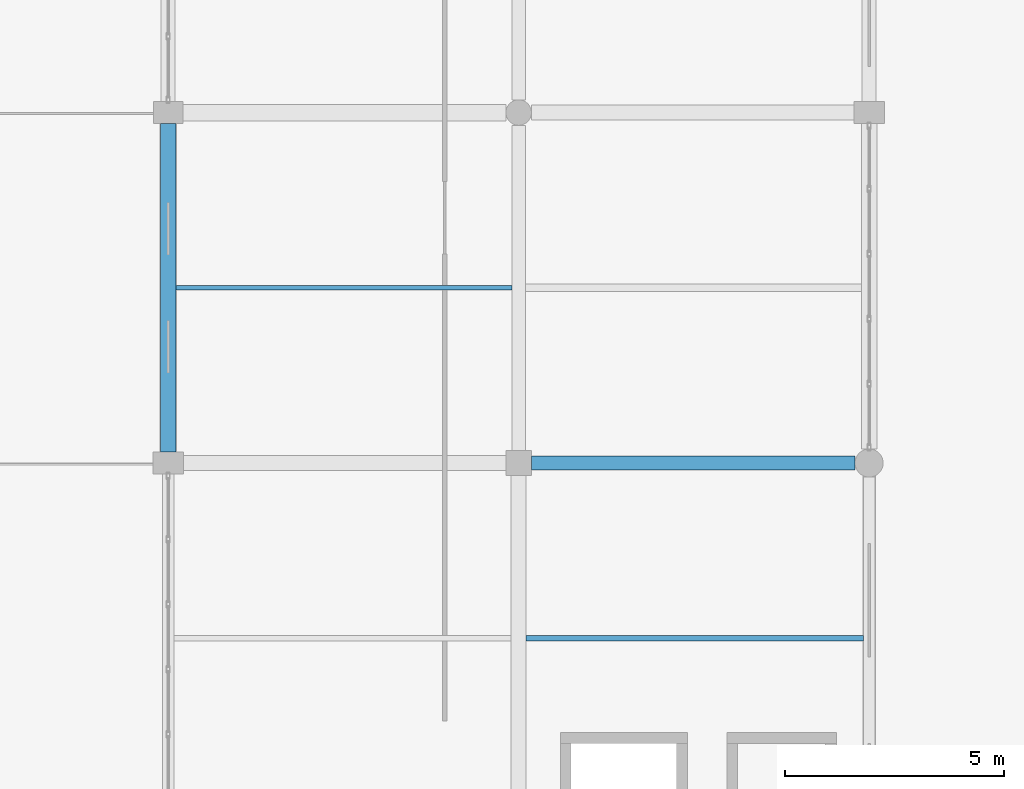
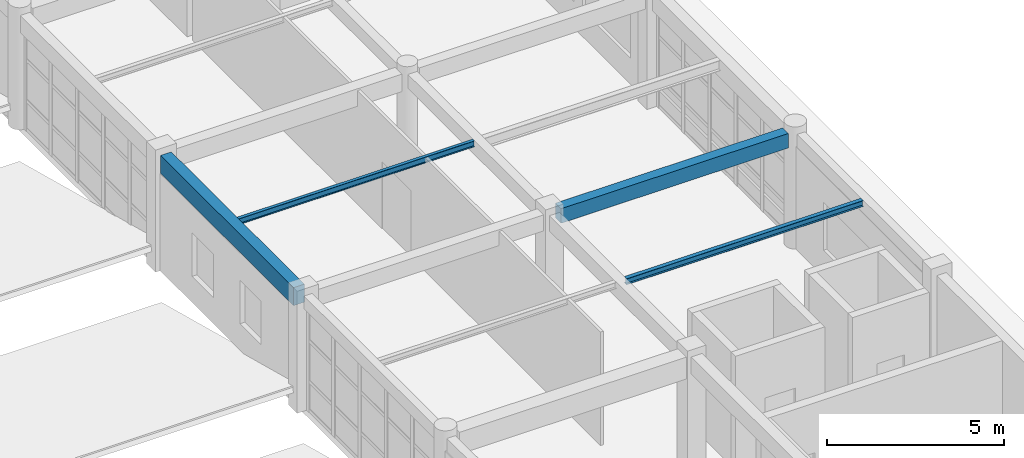
# One storey, part 30 of 121: 4 beams.
"""IFC4 building model written with IfcOpenShell, lengths in metres."""

from ifc_helpers import new_model, si_unit, direction, frame, origin, origin_2d, place, context, subcontext, project, spatial, rectangle, i_section, extrude, material, material_profile, profile_set, type_object, element, save


model = new_model("IFC4")

# Units and contexts
model_context = context("Model", 3, precision=1e-05, world=origin(), true_north=direction((0.0, 1.0)))
body_context = subcontext(model_context, "Body", "Model", "MODEL_VIEW")
ifc_project = project(units=[si_unit("LENGTHUNIT", "METRE"), si_unit("AREAUNIT", "SQUARE_METRE"), si_unit("VOLUMEUNIT", "CUBIC_METRE"), si_unit("PLANEANGLEUNIT", "RADIAN"), si_unit("MASSUNIT", "GRAM", prefix="KILO")], contexts=[model_context])

# Site, building, storey
site_placement = place(None, origin())
site = spatial("IfcSite", under=ifc_project, at=site_placement, CompositionType="ELEMENT")
building_placement = place(site_placement, origin())
building = spatial("IfcBuilding", under=site, at=building_placement, Name="Kharva Crest Polytechnic", CompositionType="ELEMENT")
storey_placement = place(building_placement, frame((0.0, 0.0, 13.199951171875)))
storey = spatial("IfcBuildingStorey", under=building, at=storey_placement, Name="L03", CompositionType="ELEMENT", Elevation=13.199951171875)

# Beams
ifc_material_1 = material(Name="Concrete C35/45", Category="concrete")
ifc_material_profile_1 = material_profile(ifc_material_1, rectangle(XDim=0.320068359375, YDim=0.5, at=origin_2d()), Name="RECT 320 X 500")
ifc_profile_set_1 = profile_set([ifc_material_profile_1], Name="Concrete C35/45")
beam_type_1 = type_object("IfcBeamType", Name="BM-RC-320X500", PredefinedType="BEAM", material=ifc_profile_set_1)
beam_1_placement = place(storey_placement, frame((40.2900390625, 54.800048828125, 3.7099609375), z_axis=(1.0, 0.0, 0.0), x_axis=(0.0, 1.0, 0.0)))
element("IfcBeam", 1, at=beam_1_placement, inside=storey, type_object=beam_type_1, Name="L03 Beam H/6-7", PredefinedType="BEAM", context=body_context, shape_type="SweptSolid", body=[
    extrude(rectangle(XDim=0.320068359375, YDim=0.5, at=origin_2d()), origin(), (0.0, 0.0, 1.0), 7.389892578125),
])
ifc_material_2 = material(Name="Steel S355", Category="steel")
ifc_material_profile_2 = material_profile(ifc_material_2, i_section(OverallWidth=0.10205078125, OverallDepth=0.2060546875, WebThickness=0.006103515625, FlangeThickness=0.008056640625, at=origin_2d()), Name="W200X22.5")
ifc_profile_set_2 = profile_set([ifc_material_profile_2], Name="Steel S355")
beam_type_2 = type_object("IfcBeamType", Name="BM-STL-W200X22", PredefinedType="JOIST", material=ifc_profile_set_2)
beam_2_placement = place(storey_placement, frame((32.175048828125, 58.800048828125, 3.85693359375), z_axis=(1.0, 0.0, 0.0), x_axis=(0.0, 1.0, 0.0)))
element("IfcBeam", 2, at=beam_2_placement, inside=storey, type_object=beam_type_2, Name="L03 Floor Joist 3", PredefinedType="JOIST", context=body_context, shape_type="SweptSolid", body=[
    extrude(i_section(OverallWidth=0.10205078125, OverallDepth=0.2060546875, WebThickness=0.006103515625, FlangeThickness=0.008056640625, at=origin_2d()), origin(), (0.0, 0.0, 1.0), 7.675048828125),
])
ifc_material_profile_3 = material_profile(ifc_material_2, i_section(OverallWidth=0.133056640625, OverallDepth=0.20703125, WebThickness=0.005859375, FlangeThickness=0.00830078125, at=origin_2d()), Name="W200X26.6")
ifc_profile_set_3 = profile_set([ifc_material_profile_3], Name="Steel S355")
beam_type_3 = type_object("IfcBeamType", Name="BM-STL-W200X26", PredefinedType="JOIST", material=ifc_profile_set_3)
beam_3_placement = place(storey_placement, frame((40.169921875, 50.800048828125, 3.8564453125), z_axis=(1.0, 0.0, 0.0), x_axis=(0.0, 1.0, 0.0)))
element("IfcBeam", 3, at=beam_3_placement, inside=storey, type_object=beam_type_3, Name="L03 Floor Joist 2", PredefinedType="JOIST", context=body_context, shape_type="SweptSolid", body=[
    extrude(i_section(OverallWidth=0.133056640625, OverallDepth=0.20703125, WebThickness=0.005859375, FlangeThickness=0.00830078125, at=origin_2d()), origin(), (0.0, 0.0, 1.0), 7.7001953125),
])
ifc_material_profile_4 = material_profile(ifc_material_1, rectangle(XDim=0.35009765625, YDim=0.6201171875, at=origin_2d()), Name="RECT 350 X 620")
ifc_profile_set_4 = profile_set([ifc_material_profile_4], Name="Concrete C35/45")
beam_type_4 = type_object("IfcBeamType", Name="SP-RC-350X620", PredefinedType="SPANDREL", material=ifc_profile_set_4)
beam_4_placement = place(storey_placement, frame((32.0, 55.050048828125, 3.650146484375), z_axis=(0.0, 1.0, 0.0), x_axis=(-1.0, 0.0, 0.0)))
element("IfcBeam", 4, at=beam_4_placement, inside=storey, type_object=beam_type_4, Name="L03 Girder 5/H-J", PredefinedType="SPANDREL", context=body_context, shape_type="SweptSolid", body=[
    extrude(rectangle(XDim=0.35009765625, YDim=0.6201171875, at=origin_2d()), origin(), (0.0, 0.0, 1.0), 7.5),
])

save(model, "model.ifc")
